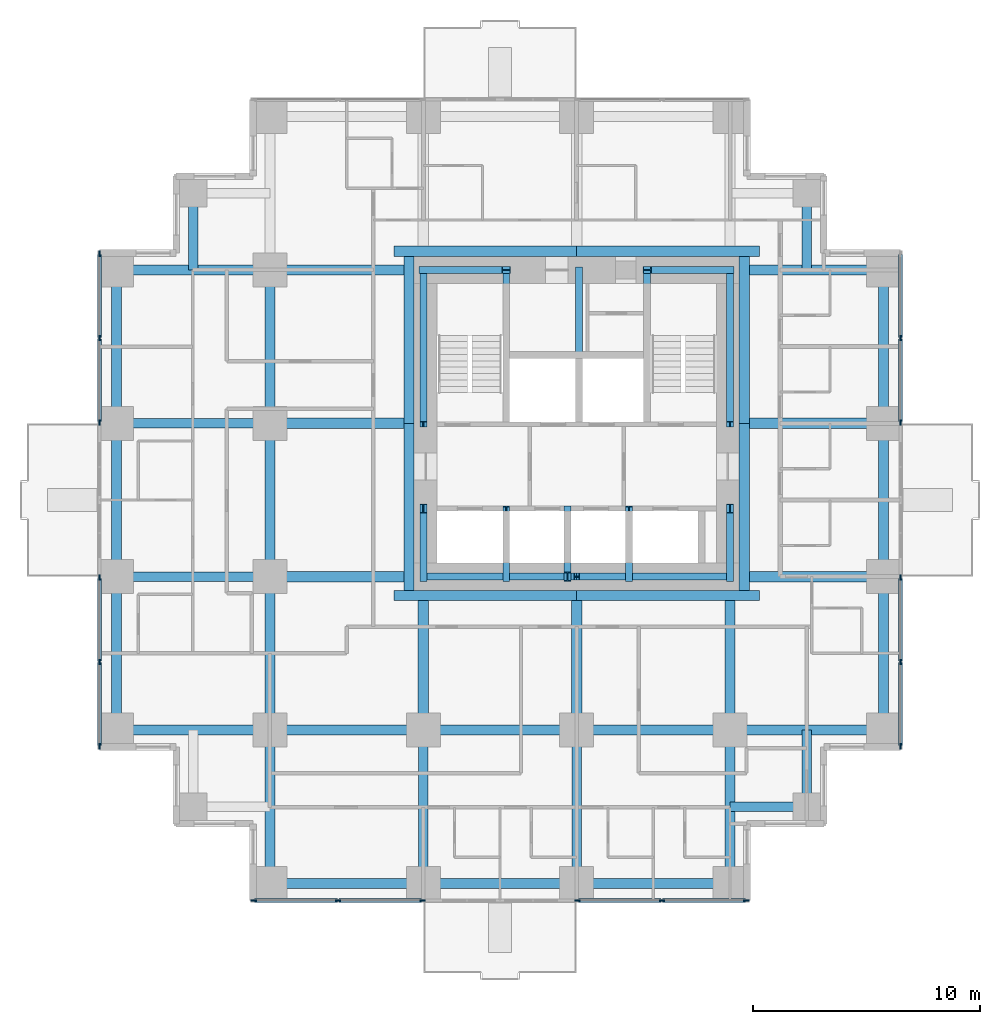
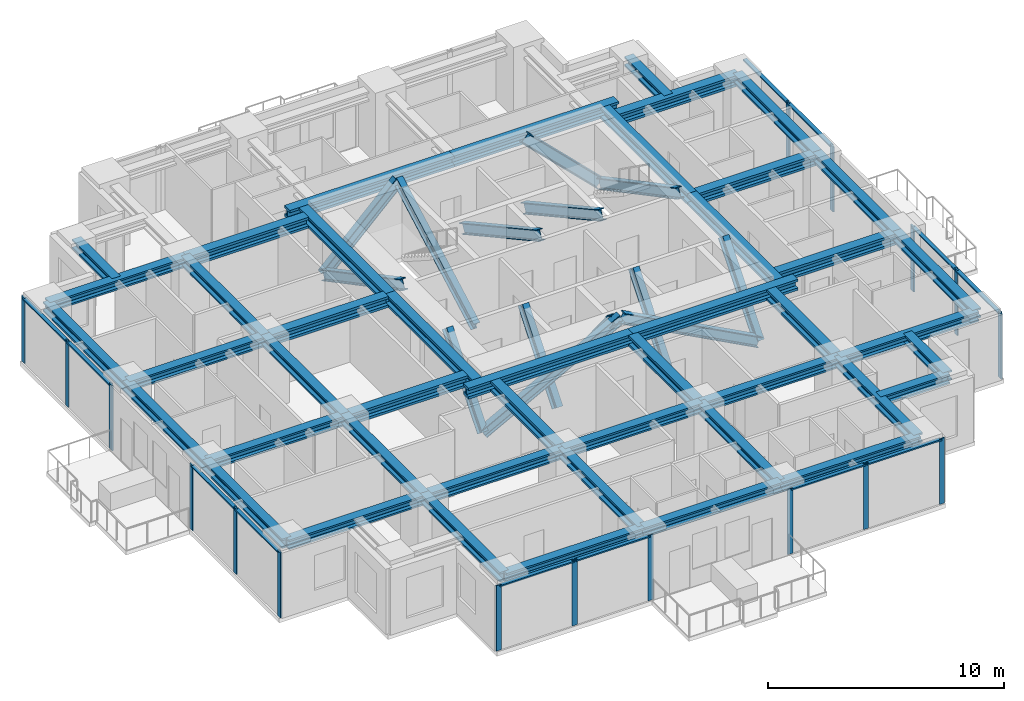
# One storey, part 2 of 10: 45 beams, 43 members, 6 elements without a shape of their own.
"""IFC4 building model written with IfcOpenShell, lengths in metres."""

from ifc_helpers import new_model, si_unit, direction, frame, origin, origin_2d, place, context, subcontext, project, spatial, rectangle, i_section, extrude, material, material_profile, profile_set, type_object, element, aggregate, save


model = new_model("IFC4")

# Units and contexts
model_context = context("Model", 3, precision=1e-05, world=origin(), true_north=direction((0.0, 1.0)))
body_context = subcontext(model_context, "Body", "Model", "MODEL_VIEW")
ifc_project = project(units=[si_unit("LENGTHUNIT", "METRE"), si_unit("AREAUNIT", "SQUARE_METRE"), si_unit("VOLUMEUNIT", "CUBIC_METRE"), si_unit("PLANEANGLEUNIT", "RADIAN"), si_unit("MASSUNIT", "GRAM", prefix="KILO")], contexts=[model_context])

# Site, building, storey
site_placement = place(None, origin())
site = spatial("IfcSite", under=ifc_project, at=site_placement, CompositionType="ELEMENT")
building_placement = place(site_placement, origin())
building = spatial("IfcBuilding", under=site, at=building_placement, Name="Nyansa Garden Tower", CompositionType="ELEMENT")
storey_placement = place(building_placement, frame((0.0, 0.0, 163.800048828125)))
storey = spatial("IfcBuildingStorey", under=building, at=storey_placement, Name="L44", CompositionType="ELEMENT", Elevation=163.800048828125)

# Curtain wall, members
ifc_material_1 = material(Name="Black anodised aluminium, dark tinted double glazing", Category="aluminium")
curtain_wall_type = type_object("IfcCurtainWallType", Name="Inner skin curtain wall ISW-C", PredefinedType="USERDEFINED", material=ifc_material_1)
curtain_wall_1_placement = place(storey_placement, origin())
curtain_wall_1 = element("IfcCurtainWall", 1, at=curtain_wall_1_placement, inside=storey, type_object=curtain_wall_type, Name="Inner skin curtain wall L44 E", ObjectType="UNITISED CURTAIN WALL", PredefinedType="USERDEFINED")
ifc_material_2 = material(Name="Black anodised aluminium", Category="aluminium")
ifc_material_profile_1 = material_profile(ifc_material_2, rectangle(XDim=0.070068359375, YDim=0.25, at=origin_2d()), Name="Mullion 250x70")
ifc_profile_set_1 = profile_set([ifc_material_profile_1], Name="Black anodised aluminium")
member_type_1 = type_object("IfcMemberType", Name="Mullion ISW-C 250x70", PredefinedType="MULLION", material=ifc_profile_set_1)
member_1_placement = place(storey_placement, frame((34.5, 6.034912109375, 0.0), z_axis=(0.0, 0.0, 1.0), x_axis=(-1.0, 0.0, 0.0)))
member_1 = element("IfcMember", 2, at=member_1_placement, type_object=member_type_1, Name="ISW-C mullion 1", PredefinedType="MULLION", context=body_context, shape_type="SweptSolid", body=[
    extrude(rectangle(XDim=0.070068359375, YDim=0.25, at=origin_2d()), origin(), (0.0, 0.0, 1.0), 3.375),
])
member_2_placement = place(storey_placement, frame((34.5, 9.75, 0.0), z_axis=(0.0, 0.0, 1.0), x_axis=(-1.0, 0.0, 0.0)))
member_2 = element("IfcMember", 3, at=member_2_placement, type_object=member_type_1, Name="ISW-C mullion 2", PredefinedType="MULLION", context=body_context, shape_type="SweptSolid", body=[
    extrude(rectangle(XDim=0.070068359375, YDim=0.25, at=origin_2d()), origin(), (0.0, 0.0, 1.0), 3.375),
])
member_3_placement = place(storey_placement, frame((34.5, 13.465087890625, 0.0), z_axis=(0.0, 0.0, 1.0), x_axis=(-1.0, 0.0, 0.0)))
member_3 = element("IfcMember", 4, at=member_3_placement, type_object=member_type_1, Name="ISW-C mullion 3", PredefinedType="MULLION", context=body_context, shape_type="SweptSolid", body=[
    extrude(rectangle(XDim=0.070068359375, YDim=0.25, at=origin_2d()), origin(), (0.0, 0.0, 1.0), 3.375),
])

curtain_wall_2_placement = place(storey_placement, origin())
curtain_wall_2 = element("IfcCurtainWall", 5, at=curtain_wall_2_placement, inside=storey, type_object=curtain_wall_type, Name="Inner skin curtain wall L44 E", ObjectType="UNITISED CURTAIN WALL", PredefinedType="USERDEFINED")
member_4_placement = place(storey_placement, frame((34.5, 20.284912109375, 0.0), z_axis=(0.0, 0.0, 1.0), x_axis=(-1.0, 0.0, 0.0)))
member_4 = element("IfcMember", 6, at=member_4_placement, type_object=member_type_1, Name="ISW-C mullion 1", PredefinedType="MULLION", context=body_context, shape_type="SweptSolid", body=[
    extrude(rectangle(XDim=0.070068359375, YDim=0.25, at=origin_2d()), origin(), (0.0, 0.0, 1.0), 3.375),
])
member_5_placement = place(storey_placement, frame((34.5, 24.0, 0.0), z_axis=(0.0, 0.0, 1.0), x_axis=(-1.0, 0.0, 0.0)))
member_5 = element("IfcMember", 7, at=member_5_placement, type_object=member_type_1, Name="ISW-C mullion 2", PredefinedType="MULLION", context=body_context, shape_type="SweptSolid", body=[
    extrude(rectangle(XDim=0.070068359375, YDim=0.25, at=origin_2d()), origin(), (0.0, 0.0, 1.0), 3.375),
])

curtain_wall_3_placement = place(storey_placement, origin())
curtain_wall_3 = element("IfcCurtainWall", 8, at=curtain_wall_3_placement, inside=storey, type_object=curtain_wall_type, Name="Inner skin curtain wall L44 W", ObjectType="UNITISED CURTAIN WALL", PredefinedType="USERDEFINED")
member_6_placement = place(storey_placement, frame((-0.75, 13.465087890625, 0.0), z_axis=(0.0, 0.0, 1.0), x_axis=(1.0, 0.0, 0.0)))
member_6 = element("IfcMember", 9, at=member_6_placement, type_object=member_type_1, Name="ISW-C mullion 1", PredefinedType="MULLION", context=body_context, shape_type="SweptSolid", body=[
    extrude(rectangle(XDim=0.070068359375, YDim=0.25, at=origin_2d()), origin(), (0.0, 0.0, 1.0), 3.375),
])
member_7_placement = place(storey_placement, frame((-0.75, 9.75, 0.0), z_axis=(0.0, 0.0, 1.0), x_axis=(1.0, 0.0, 0.0)))
member_7 = element("IfcMember", 10, at=member_7_placement, type_object=member_type_1, Name="ISW-C mullion 2", PredefinedType="MULLION", context=body_context, shape_type="SweptSolid", body=[
    extrude(rectangle(XDim=0.070068359375, YDim=0.25, at=origin_2d()), origin(), (0.0, 0.0, 1.0), 3.375),
])
member_8_placement = place(storey_placement, frame((-0.75, 6.034912109375, 0.0), z_axis=(0.0, 0.0, 1.0), x_axis=(1.0, 0.0, 0.0)))
member_8 = element("IfcMember", 11, at=member_8_placement, type_object=member_type_1, Name="ISW-C mullion 3", PredefinedType="MULLION", context=body_context, shape_type="SweptSolid", body=[
    extrude(rectangle(XDim=0.070068359375, YDim=0.25, at=origin_2d()), origin(), (0.0, 0.0, 1.0), 3.375),
])

curtain_wall_4_placement = place(storey_placement, origin())
curtain_wall_4 = element("IfcCurtainWall", 12, at=curtain_wall_4_placement, inside=storey, type_object=curtain_wall_type, Name="Inner skin curtain wall L44 W", ObjectType="UNITISED CURTAIN WALL", PredefinedType="USERDEFINED")
member_9_placement = place(storey_placement, frame((-0.75, 27.715087890625, 0.0), z_axis=(0.0, 0.0, 1.0), x_axis=(1.0, 0.0, 0.0)))
member_9 = element("IfcMember", 13, at=member_9_placement, type_object=member_type_1, Name="ISW-C mullion 1", PredefinedType="MULLION", context=body_context, shape_type="SweptSolid", body=[
    extrude(rectangle(XDim=0.070068359375, YDim=0.25, at=origin_2d()), origin(), (0.0, 0.0, 1.0), 3.375),
])
member_10_placement = place(storey_placement, frame((-0.75, 24.0, 0.0), z_axis=(0.0, 0.0, 1.0), x_axis=(1.0, 0.0, 0.0)))
member_10 = element("IfcMember", 14, at=member_10_placement, type_object=member_type_1, Name="ISW-C mullion 2", PredefinedType="MULLION", context=body_context, shape_type="SweptSolid", body=[
    extrude(rectangle(XDim=0.070068359375, YDim=0.25, at=origin_2d()), origin(), (0.0, 0.0, 1.0), 3.375),
])
member_11_placement = place(storey_placement, frame((-0.75, 20.284912109375, 0.0), z_axis=(0.0, 0.0, 1.0), x_axis=(1.0, 0.0, 0.0)))
member_11 = element("IfcMember", 15, at=member_11_placement, type_object=member_type_1, Name="ISW-C mullion 3", PredefinedType="MULLION", context=body_context, shape_type="SweptSolid", body=[
    extrude(rectangle(XDim=0.070068359375, YDim=0.25, at=origin_2d()), origin(), (0.0, 0.0, 1.0), 3.375),
])

curtain_wall_5_placement = place(storey_placement, origin())
curtain_wall_5 = element("IfcCurtainWall", 16, at=curtain_wall_5_placement, inside=storey, type_object=curtain_wall_type, Name="Inner skin curtain wall L44 S", ObjectType="UNITISED CURTAIN WALL", PredefinedType="USERDEFINED")
member_12_placement = place(storey_placement, frame((6.034912109375, -0.75, 0.0), z_axis=(0.0, 0.0, 1.0), x_axis=(0.0, 1.0, 0.0)))
member_12 = element("IfcMember", 17, at=member_12_placement, type_object=member_type_1, Name="ISW-C mullion 1", PredefinedType="MULLION", context=body_context, shape_type="SweptSolid", body=[
    extrude(rectangle(XDim=0.070068359375, YDim=0.25, at=origin_2d()), origin(), (0.0, 0.0, 1.0), 3.375),
])
member_13_placement = place(storey_placement, frame((9.75, -0.75, 0.0), z_axis=(0.0, 0.0, 1.0), x_axis=(0.0, 1.0, 0.0)))
member_13 = element("IfcMember", 18, at=member_13_placement, type_object=member_type_1, Name="ISW-C mullion 2", PredefinedType="MULLION", context=body_context, shape_type="SweptSolid", body=[
    extrude(rectangle(XDim=0.070068359375, YDim=0.25, at=origin_2d()), origin(), (0.0, 0.0, 1.0), 3.375),
])
member_14_placement = place(storey_placement, frame((13.465087890625, -0.75, 0.0), z_axis=(0.0, 0.0, 1.0), x_axis=(0.0, 1.0, 0.0)))
member_14 = element("IfcMember", 19, at=member_14_placement, type_object=member_type_1, Name="ISW-C mullion 3", PredefinedType="MULLION", context=body_context, shape_type="SweptSolid", body=[
    extrude(rectangle(XDim=0.070068359375, YDim=0.25, at=origin_2d()), origin(), (0.0, 0.0, 1.0), 3.375),
])

curtain_wall_6_placement = place(storey_placement, origin())
curtain_wall_6 = element("IfcCurtainWall", 20, at=curtain_wall_6_placement, inside=storey, type_object=curtain_wall_type, Name="Inner skin curtain wall L44 S", ObjectType="UNITISED CURTAIN WALL", PredefinedType="USERDEFINED")
member_15_placement = place(storey_placement, frame((20.284912109375, -0.75, 0.0), z_axis=(0.0, 0.0, 1.0), x_axis=(0.0, 1.0, 0.0)))
member_15 = element("IfcMember", 21, at=member_15_placement, type_object=member_type_1, Name="ISW-C mullion 1", PredefinedType="MULLION", context=body_context, shape_type="SweptSolid", body=[
    extrude(rectangle(XDim=0.070068359375, YDim=0.25, at=origin_2d()), origin(), (0.0, 0.0, 1.0), 3.375),
])
member_16_placement = place(storey_placement, frame((24.0, -0.75, 0.0), z_axis=(0.0, 0.0, 1.0), x_axis=(0.0, 1.0, 0.0)))
member_16 = element("IfcMember", 22, at=member_16_placement, type_object=member_type_1, Name="ISW-C mullion 2", PredefinedType="MULLION", context=body_context, shape_type="SweptSolid", body=[
    extrude(rectangle(XDim=0.070068359375, YDim=0.25, at=origin_2d()), origin(), (0.0, 0.0, 1.0), 3.375),
])
member_17_placement = place(storey_placement, frame((27.715087890625, -0.75, 0.0), z_axis=(0.0, 0.0, 1.0), x_axis=(0.0, 1.0, 0.0)))
member_17 = element("IfcMember", 23, at=member_17_placement, type_object=member_type_1, Name="ISW-C mullion 3", PredefinedType="MULLION", context=body_context, shape_type="SweptSolid", body=[
    extrude(rectangle(XDim=0.070068359375, YDim=0.25, at=origin_2d()), origin(), (0.0, 0.0, 1.0), 3.375),
])

# Members
ifc_material_3 = material(Name="Steel S355", Category="steel")
ifc_material_profile_2 = material_profile(ifc_material_3, i_section(OverallWidth=0.305908203125, OverallDepth=0.52392578125, WebThickness=0.02099609375, FlangeThickness=0.0400390625, FilletRadius=0.027099609375, at=origin_2d()), Name="HE 500 M")
ifc_profile_set_2 = profile_set([ifc_material_profile_2], Name="Steel S355")
member_type_2 = type_object("IfcMemberType", Name="Perimeter brace HE 500 M", PredefinedType="BRACE", material=ifc_profile_set_2)
for number, where, z_axis, x_axis, name in (
    (24, (13.5, 13.5, 0.0), (0.882360891967, 0.0, 0.470573327259), (0.0, 1.0, 0.0), "Core brace CS1 L44"),
    (25, (27.0, 13.5, 0.0), (-0.882360891967, 0.0, 0.470573327259), (0.0, -1.0, 0.0), "Core brace CS2 L44"),
):
    element("IfcMember", number, at=place(storey_placement, frame(where, z_axis=z_axis, x_axis=x_axis)), inside=storey, type_object=member_type_2, Name=name, PredefinedType="BRACE", context=body_context, shape_type="SweptSolid", body=[
        extrude(i_section(OverallWidth=0.305908203125, OverallDepth=0.52392578125, WebThickness=0.02099609375, FlangeThickness=0.0400390625, FilletRadius=0.027099609375, at=origin_2d()), origin(), (0.0, 0.0, 1.0), 7.64990234375),
    ])
for number, where, z_axis, x_axis, name in (
    (26, (13.5, 27.0, 0.0), (0.711971340796, 0.0, 0.702208523079), (0.0, 1.0, 0.0), "Core brace CN3 L44"),
    (27, (27.0, 27.0, 0.0), (-0.711971340796, 0.0, 0.702208523079), (0.0, -1.0, 0.0), "Core brace CN4 L44"),
):
    element("IfcMember", number, at=place(storey_placement, frame(where, z_axis=z_axis, x_axis=x_axis)), inside=storey, type_object=member_type_2, Name=name, PredefinedType="BRACE", context=body_context, shape_type="SweptSolid", body=[
        extrude(i_section(OverallWidth=0.305908203125, OverallDepth=0.52392578125, WebThickness=0.02099609375, FlangeThickness=0.0400390625, FilletRadius=0.027099609375, at=origin_2d()), origin(), (0.0, 0.0, 1.0), 5.12646484375),
    ])
member_18_placement = place(storey_placement, frame((13.5, 13.5, 0.0), z_axis=(0.0, 0.640199773186, 0.768208468069), x_axis=(-1.0, 0.0, 0.0)))
element("IfcMember", 28, at=member_18_placement, inside=storey, type_object=member_type_2, Name="Core brace CW5 L44", PredefinedType="BRACE", context=body_context, shape_type="SweptSolid", body=[
    extrude(i_section(OverallWidth=0.305908203125, OverallDepth=0.52392578125, WebThickness=0.02099609375, FlangeThickness=0.0400390625, FilletRadius=0.027099609375, at=origin_2d()), origin(), (0.0, 0.0, 1.0), 4.68603515625),
])
member_19_placement = place(storey_placement, frame((13.5, 27.0, 0.0), z_axis=(0.0, -0.883797178129, 0.467870225524), x_axis=(1.0, 0.0, 0.0)))
element("IfcMember", 29, at=member_19_placement, inside=storey, type_object=member_type_2, Name="Core brace CW6 L44", PredefinedType="BRACE", context=body_context, shape_type="SweptSolid", body=[
    extrude(i_section(OverallWidth=0.305908203125, OverallDepth=0.52392578125, WebThickness=0.02099609375, FlangeThickness=0.0400390625, FilletRadius=0.027099609375, at=origin_2d()), origin(), (0.0, 0.0, 1.0), 7.694091796875),
])
member_20_placement = place(storey_placement, frame((27.0, 13.5, 0.0), z_axis=(0.0, 0.640199773186, 0.768208468069), x_axis=(-1.0, 0.0, 0.0)))
element("IfcMember", 30, at=member_20_placement, inside=storey, type_object=member_type_2, Name="Core brace CE7 L44", PredefinedType="BRACE", context=body_context, shape_type="SweptSolid", body=[
    extrude(i_section(OverallWidth=0.305908203125, OverallDepth=0.52392578125, WebThickness=0.02099609375, FlangeThickness=0.0400390625, FilletRadius=0.027099609375, at=origin_2d()), origin(), (0.0, 0.0, 1.0), 4.68603515625),
])
member_21_placement = place(storey_placement, frame((27.0, 27.0, 0.0), z_axis=(0.0, -0.883797178129, 0.467870225524), x_axis=(1.0, 0.0, 0.0)))
element("IfcMember", 31, at=member_21_placement, inside=storey, type_object=member_type_2, Name="Core brace CE8 L44", PredefinedType="BRACE", context=body_context, shape_type="SweptSolid", body=[
    extrude(i_section(OverallWidth=0.305908203125, OverallDepth=0.52392578125, WebThickness=0.02099609375, FlangeThickness=0.0400390625, FilletRadius=0.027099609375, at=origin_2d()), origin(), (0.0, 0.0, 1.0), 7.694091796875),
])
for number, where, z_axis, x_axis, name in (
    (32, (17.14990234375, 20.449951171875, 0.0), (0.0, 0.876366901673, 0.481644115143), (-1.0, 0.0, 0.0), "Core brace CWS9 L44"),
    (33, (23.35009765625, 27.0, 0.0), (0.0, -0.876366901673, 0.481644115143), (1.0, 0.0, 0.0), "Core brace CES10 L44"),
):
    element("IfcMember", number, at=place(storey_placement, frame(where, z_axis=z_axis, x_axis=x_axis)), inside=storey, type_object=member_type_2, Name=name, PredefinedType="BRACE", context=body_context, shape_type="SweptSolid", body=[
        extrude(i_section(OverallWidth=0.305908203125, OverallDepth=0.52392578125, WebThickness=0.02099609375, FlangeThickness=0.0400390625, FilletRadius=0.027099609375, at=origin_2d()), origin(), (0.0, 0.0, 1.0), 7.47412109375),
    ])
for number, where, z_axis, x_axis, name in (
    (34, (17.14990234375, 13.5, 0.0), (0.0, 0.627332207022, 0.778751758928), (-1.0, 0.0, 0.0), "Core brace CSW11 L44"),
    (35, (19.85009765625, 16.39990234375, 0.0), (0.0, -0.627332207022, 0.778751758928), (1.0, 0.0, 0.0), "Core brace CSW12 L44"),
    (36, (22.550048828125, 13.5, 0.0), (0.0, 0.627332207022, 0.778751758928), (-1.0, 0.0, 0.0), "Core brace CSW13 L44"),
):
    element("IfcMember", number, at=place(storey_placement, frame(where, z_axis=z_axis, x_axis=x_axis)), inside=storey, type_object=member_type_2, Name=name, PredefinedType="BRACE", context=body_context, shape_type="SweptSolid", body=[
        extrude(i_section(OverallWidth=0.305908203125, OverallDepth=0.52392578125, WebThickness=0.02099609375, FlangeThickness=0.0400390625, FilletRadius=0.027099609375, at=origin_2d()), origin(), (0.0, 0.0, 1.0), 4.62255859375),
    ])
member_22_placement = place(storey_placement, frame((20.35009765625, 27.0, 0.0), z_axis=(0.0, -0.876366901673, 0.481644115143), x_axis=(1.0, 0.0, 0.0)))
element("IfcMember", 37, at=member_22_placement, inside=storey, type_object=member_type_2, Name="Core brace CNW14 L44", PredefinedType="BRACE", context=body_context, shape_type="SweptSolid", body=[
    extrude(i_section(OverallWidth=0.305908203125, OverallDepth=0.52392578125, WebThickness=0.02099609375, FlangeThickness=0.0400390625, FilletRadius=0.027099609375, at=origin_2d()), origin(), (0.0, 0.0, 1.0), 7.47412109375),
])

# Beams
ifc_material_4 = material(Name="Steel S355", Category="steel")
ifc_material_profile_3 = material_profile(ifc_material_4, i_section(OverallWidth=0.431884765625, OverallDepth=0.498046875, WebThickness=0.0556640625, FlangeThickness=0.0888671875, FilletRadius=0.014892578125, at=origin_2d()), Name="HD 400x744")
ifc_profile_set_3 = profile_set([ifc_material_profile_3], Name="Steel S355")
beam_type_1 = type_object("IfcBeamType", Name="Steel beam SBC1-744 HD 400x744", PredefinedType="BEAM", material=ifc_profile_set_3)
for number, where, z_axis, x_axis, name in (
    (38, (0.0, 6.75, 3.1259765625), (1.0, 0.0, 0.0), (0.0, 1.0, 0.0), "Steel beam 2/E-3/E L45"),
    (39, (0.0, 13.5, 3.1259765625), (1.0, 0.0, 0.0), (0.0, 1.0, 0.0), "Steel beam 2/F-3/F L45"),
    (40, (0.0, 20.25, 3.1259765625), (1.0, 0.0, 0.0), (0.0, 1.0, 0.0), "Steel beam 2/G-3/G L45"),
    (41, (0.0, 27.0, 3.1259765625), (1.0, 0.0, 0.0), (0.0, 1.0, 0.0), "Steel beam 2/H-3/H L45"),
    (42, (6.75, 0.0, 3.1259765625), (0.0, 1.0, 0.0), (-1.0, 0.0, 0.0), "Steel beam 3/D-3/E L45"),
    (43, (6.75, 6.75, 3.1259765625), (0.0, 1.0, 0.0), (-1.0, 0.0, 0.0), "Steel beam 3/E-3/F L45"),
    (44, (6.75, 6.75, 3.1259765625), (1.0, 0.0, 0.0), (0.0, 1.0, 0.0), "Steel beam 3/E-4/E L45"),
    (45, (6.75, 13.5, 3.1259765625), (0.0, 1.0, 0.0), (-1.0, 0.0, 0.0), "Steel beam 3/F-3/G L45"),
    (46, (6.75, 20.25, 3.1259765625), (0.0, 1.0, 0.0), (-1.0, 0.0, 0.0), "Steel beam 3/G-3/H L45"),
    (47, (13.5, 0.0, 3.1259765625), (0.0, 1.0, 0.0), (-1.0, 0.0, 0.0), "Steel beam 4/D-4/E L45"),
    (48, (13.5, 6.75, 3.1259765625), (1.0, 0.0, 0.0), (0.0, 1.0, 0.0), "Steel beam 4/E-5/E L45"),
    (49, (20.25, 0.0, 3.1259765625), (0.0, 1.0, 0.0), (-1.0, 0.0, 0.0), "Steel beam 5/D-5/E L45"),
    (50, (20.25, 6.75, 3.1259765625), (1.0, 0.0, 0.0), (0.0, 1.0, 0.0), "Steel beam 5/E-6/E L45"),
    (51, (27.0, 0.0, 3.1259765625), (0.0, 1.0, 0.0), (-1.0, 0.0, 0.0), "Steel beam 6/D-6/E L45"),
    (52, (27.0, 6.75, 3.1259765625), (1.0, 0.0, 0.0), (0.0, 1.0, 0.0), "Steel beam 6/E-7/E L45"),
):
    element("IfcBeam", number, at=place(storey_placement, frame(where, z_axis=z_axis, x_axis=x_axis)), inside=storey, type_object=beam_type_1, Name=name, PredefinedType="BEAM", context=body_context, shape_type="SweptSolid", body=[
        extrude(i_section(OverallWidth=0.431884765625, OverallDepth=0.498046875, WebThickness=0.0556640625, FlangeThickness=0.0888671875, FilletRadius=0.014892578125, at=origin_2d()), origin(), (0.0, 0.0, 1.0), 6.75),
    ])
ifc_material_5 = material(Name="Steel S355", Category="steel")
ifc_material_profile_4 = material_profile(ifc_material_5, i_section(OverallWidth=0.4541015625, OverallDepth=0.569091796875, WebThickness=0.077880859375, FlangeThickness=0.125, FilletRadius=0.014892578125, at=origin_2d()), Name="HD 400x1086")
ifc_profile_set_4 = profile_set([ifc_material_profile_4], Name="Steel S355")
beam_type_2 = type_object("IfcBeamType", Name="Steel beam SCL-1086 HD 400x1086", PredefinedType="BEAM", material=ifc_profile_set_4)
for number, where, z_axis, x_axis, name in (
    (53, (6.75, 13.5, 3.09033203125), (1.0, 0.0, 0.0), (0.0, 1.0, 0.0), "Steel beam 3/F-12.650/F L45"),
    (54, (6.75, 20.25, 3.09033203125), (1.0, 0.0, 0.0), (0.0, 1.0, 0.0), "Steel beam 3/G-12.650/G L45"),
    (55, (6.75, 27.0, 3.09033203125), (1.0, 0.0, 0.0), (0.0, 1.0, 0.0), "Steel beam 3/H-12.650/H L45"),
):
    element("IfcBeam", number, at=place(storey_placement, frame(where, z_axis=z_axis, x_axis=x_axis)), inside=storey, type_object=beam_type_2, Name=name, PredefinedType="BEAM", context=body_context, shape_type="SweptSolid", body=[
        extrude(i_section(OverallWidth=0.4541015625, OverallDepth=0.569091796875, WebThickness=0.077880859375, FlangeThickness=0.125, FilletRadius=0.014892578125, at=origin_2d()), origin(), (0.0, 0.0, 1.0), 5.89990234375),
    ])
for number, where, z_axis, x_axis, name in (
    (56, (13.5, 6.75, 3.09033203125), (0.0, 1.0, 0.0), (-1.0, 0.0, 0.0), "Steel beam 4/E-4/12.450 L45"),
    (57, (20.25, 6.75, 3.09033203125), (0.0, 1.0, 0.0), (-1.0, 0.0, 0.0), "Steel beam 5/E-5/12.450 L45"),
    (58, (27.0, 6.75, 3.09033203125), (0.0, 1.0, 0.0), (-1.0, 0.0, 0.0), "Steel beam 6/E-6/12.450 L45"),
):
    element("IfcBeam", number, at=place(storey_placement, frame(where, z_axis=z_axis, x_axis=x_axis)), inside=storey, type_object=beam_type_2, Name=name, PredefinedType="BEAM", context=body_context, shape_type="SweptSolid", body=[
        extrude(i_section(OverallWidth=0.4541015625, OverallDepth=0.569091796875, WebThickness=0.077880859375, FlangeThickness=0.125, FilletRadius=0.014892578125, at=origin_2d()), origin(), (0.0, 0.0, 1.0), 5.699951171875),
    ])
for number, where, z_axis, x_axis, name in (
    (59, (27.85009765625, 13.5, 3.09033203125), (1.0, 0.0, 0.0), (0.0, 1.0, 0.0), "Steel beam 27.850/F-7/F L45"),
    (60, (27.85009765625, 20.25, 3.09033203125), (1.0, 0.0, 0.0), (0.0, 1.0, 0.0), "Steel beam 27.850/G-7/G L45"),
    (61, (27.85009765625, 27.0, 3.09033203125), (1.0, 0.0, 0.0), (0.0, 1.0, 0.0), "Steel beam 27.850/H-7/H L45"),
):
    element("IfcBeam", number, at=place(storey_placement, frame(where, z_axis=z_axis, x_axis=x_axis)), inside=storey, type_object=beam_type_2, Name=name, PredefinedType="BEAM", context=body_context, shape_type="SweptSolid", body=[
        extrude(i_section(OverallWidth=0.4541015625, OverallDepth=0.569091796875, WebThickness=0.077880859375, FlangeThickness=0.125, FilletRadius=0.014892578125, at=origin_2d()), origin(), (0.0, 0.0, 1.0), 5.89990234375),
    ])
for number, where, z_axis, x_axis, name in (
    (62, (12.199951171875, 12.673095703125, 3.09033203125), (1.0, 0.0, 0.0), (0.0, 1.0, 0.0), "Steel core ledger beam S.1 L45"),
    (63, (20.25, 12.673095703125, 3.09033203125), (1.0, 0.0, 0.0), (0.0, 1.0, 0.0), "Steel core ledger beam S.2 L45"),
):
    element("IfcBeam", number, at=place(storey_placement, frame(where, z_axis=z_axis, x_axis=x_axis)), inside=storey, type_object=beam_type_2, Name=name, PredefinedType="BEAM", context=body_context, shape_type="SweptSolid", body=[
        extrude(i_section(OverallWidth=0.4541015625, OverallDepth=0.569091796875, WebThickness=0.077880859375, FlangeThickness=0.125, FilletRadius=0.014892578125, at=origin_2d()), origin(), (0.0, 0.0, 1.0), 8.050048828125),
    ])
for number, where, z_axis, x_axis, name in (
    (64, (27.626953125, 12.89990234375, 3.09033203125), (0.0, 1.0, 0.0), (-1.0, 0.0, 0.0), "Steel core ledger beam E.1 L45"),
    (65, (27.626953125, 20.25, 3.09033203125), (0.0, 1.0, 0.0), (-1.0, 0.0, 0.0), "Steel core ledger beam E.2 L45"),
):
    element("IfcBeam", number, at=place(storey_placement, frame(where, z_axis=z_axis, x_axis=x_axis)), inside=storey, type_object=beam_type_2, Name=name, PredefinedType="BEAM", context=body_context, shape_type="SweptSolid", body=[
        extrude(i_section(OverallWidth=0.4541015625, OverallDepth=0.569091796875, WebThickness=0.077880859375, FlangeThickness=0.125, FilletRadius=0.014892578125, at=origin_2d()), origin(), (0.0, 0.0, 1.0), 7.35009765625),
    ])
for number, where, z_axis, x_axis, name in (
    (66, (28.300048828125, 27.826904296875, 3.09033203125), (-1.0, 0.0, 0.0), (0.0, -1.0, 0.0), "Steel core ledger beam N.1 L45"),
    (67, (20.25, 27.826904296875, 3.09033203125), (-1.0, 0.0, 0.0), (0.0, -1.0, 0.0), "Steel core ledger beam N.2 L45"),
):
    element("IfcBeam", number, at=place(storey_placement, frame(where, z_axis=z_axis, x_axis=x_axis)), inside=storey, type_object=beam_type_2, Name=name, PredefinedType="BEAM", context=body_context, shape_type="SweptSolid", body=[
        extrude(i_section(OverallWidth=0.4541015625, OverallDepth=0.569091796875, WebThickness=0.077880859375, FlangeThickness=0.125, FilletRadius=0.014892578125, at=origin_2d()), origin(), (0.0, 0.0, 1.0), 8.050048828125),
    ])
for number, where, z_axis, x_axis, name in (
    (68, (12.873046875, 27.60009765625, 3.09033203125), (0.0, -1.0, 0.0), (1.0, 0.0, 0.0), "Steel core ledger beam W.1 L45"),
    (69, (12.873046875, 20.25, 3.09033203125), (0.0, -1.0, 0.0), (1.0, 0.0, 0.0), "Steel core ledger beam W.2 L45"),
):
    element("IfcBeam", number, at=place(storey_placement, frame(where, z_axis=z_axis, x_axis=x_axis)), inside=storey, type_object=beam_type_2, Name=name, PredefinedType="BEAM", context=body_context, shape_type="SweptSolid", body=[
        extrude(i_section(OverallWidth=0.4541015625, OverallDepth=0.569091796875, WebThickness=0.077880859375, FlangeThickness=0.125, FilletRadius=0.014892578125, at=origin_2d()), origin(), (0.0, 0.0, 1.0), 7.35009765625),
    ])
ifc_material_6 = material(Name="Steel S355", Category="steel")
ifc_material_profile_5 = material_profile(ifc_material_6, i_section(OverallWidth=0.431884765625, OverallDepth=0.498046875, WebThickness=0.0556640625, FlangeThickness=0.0888671875, FilletRadius=0.014892578125, at=origin_2d()), Name="HD 400x744")
ifc_profile_set_5 = profile_set([ifc_material_profile_5], Name="Steel S355")
beam_type_3 = type_object("IfcBeamType", Name="Steel beam SEBC-744 HD 400x744", PredefinedType="BEAM", material=ifc_profile_set_5)
for number, where, z_axis, x_axis, name in (
    (70, (0.0, 6.75, 3.1259765625), (0.0, 1.0, 0.0), (-1.0, 0.0, 0.0), "Steel edge beam 2/E-2/F L45"),
    (71, (0.0, 13.5, 3.1259765625), (0.0, 1.0, 0.0), (-1.0, 0.0, 0.0), "Steel edge beam 2/F-2/G L45"),
    (72, (0.0, 20.25, 3.1259765625), (0.0, 1.0, 0.0), (-1.0, 0.0, 0.0), "Steel edge beam 2/G-2/H L45"),
    (73, (6.75, 0.0, 3.1259765625), (1.0, 0.0, 0.0), (0.0, 1.0, 0.0), "Steel edge beam 3/D-4/D L45"),
    (74, (13.5, 0.0, 3.1259765625), (1.0, 0.0, 0.0), (0.0, 1.0, 0.0), "Steel edge beam 4/D-5/D L45"),
    (75, (20.25, 0.0, 3.1259765625), (1.0, 0.0, 0.0), (0.0, 1.0, 0.0), "Steel edge beam 5/D-6/D L45"),
    (76, (33.75, 6.75, 3.1259765625), (0.0, 1.0, 0.0), (-1.0, 0.0, 0.0), "Steel edge beam 7/E-7/F L45"),
    (77, (33.75, 13.5, 3.1259765625), (0.0, 1.0, 0.0), (-1.0, 0.0, 0.0), "Steel edge beam 7/F-7/G L45"),
    (78, (33.75, 20.25, 3.1259765625), (0.0, 1.0, 0.0), (-1.0, 0.0, 0.0), "Steel edge beam 7/G-7/H L45"),
):
    element("IfcBeam", number, at=place(storey_placement, frame(where, z_axis=z_axis, x_axis=x_axis)), inside=storey, type_object=beam_type_3, Name=name, PredefinedType="BEAM", context=body_context, shape_type="SweptSolid", body=[
        extrude(i_section(OverallWidth=0.431884765625, OverallDepth=0.498046875, WebThickness=0.0556640625, FlangeThickness=0.0888671875, FilletRadius=0.014892578125, at=origin_2d()), origin(), (0.0, 0.0, 1.0), 6.75),
    ])
ifc_material_7 = material(Name="Steel S355", Category="steel")
ifc_material_profile_6 = material_profile(ifc_material_7, i_section(OverallWidth=0.431884765625, OverallDepth=0.498046875, WebThickness=0.0556640625, FlangeThickness=0.0888671875, FilletRadius=0.014892578125, at=origin_2d()), Name="HD 400x744")
ifc_profile_set_6 = profile_set([ifc_material_profile_6], Name="Steel S355")
beam_type_4 = type_object("IfcBeamType", Name="Steel beam SSB1-744 HD 400x744", PredefinedType="BEAM", material=ifc_profile_set_6)
for number, where, z_axis, x_axis, name in (
    (79, (30.375, 3.375, 3.1259765625), (0.0, 1.0, 0.0), (-1.0, 0.0, 0.0), "Steel step beam 30.375/3.375 L45"),
    (80, (30.375, 3.375, 3.1259765625), (-1.0, 0.0, 0.0), (0.0, -1.0, 0.0), "Steel step beam 30.375/3.375 L45"),
    (81, (30.375, 30.375, 3.1259765625), (0.0, -1.0, 0.0), (1.0, 0.0, 0.0), "Steel step beam 30.375/30.375 L45"),
    (82, (3.375, 30.375, 3.1259765625), (0.0, -1.0, 0.0), (1.0, 0.0, 0.0), "Steel step beam 3.375/30.375 L45"),
):
    element("IfcBeam", number, at=place(storey_placement, frame(where, z_axis=z_axis, x_axis=x_axis)), inside=storey, type_object=beam_type_4, Name=name, PredefinedType="BEAM", context=body_context, shape_type="SweptSolid", body=[
        extrude(i_section(OverallWidth=0.431884765625, OverallDepth=0.498046875, WebThickness=0.0556640625, FlangeThickness=0.0888671875, FilletRadius=0.014892578125, at=origin_2d()), origin(), (0.0, 0.0, 1.0), 3.375),
    ])

# Member
ifc_material_8 = material(Name="Black anodised aluminium", Category="aluminium")
ifc_material_profile_7 = material_profile(ifc_material_8, rectangle(XDim=0.179931640625, YDim=0.070068359375, at=origin_2d()), Name="Transom 180x70")
ifc_profile_set_7 = profile_set([ifc_material_profile_7], Name="Black anodised aluminium")
member_type_3 = type_object("IfcMemberType", Name="Transom ISW-C 180x70", PredefinedType="USERDEFINED", material=ifc_profile_set_7)
member_23_placement = place(storey_placement, frame((34.5, 6.070068359375, 3.33984375), z_axis=(0.0, 1.0, 0.0), x_axis=(-1.0, 0.0, 0.0)))
member_23 = element("IfcMember", 83, at=member_23_placement, type_object=member_type_3, Name="ISW-C transom 1", ObjectType="TRANSOM", PredefinedType="USERDEFINED", context=body_context, shape_type="SweptSolid", body=[
    extrude(rectangle(XDim=0.179931640625, YDim=0.070068359375, at=origin_2d()), origin(), (0.0, 0.0, 1.0), 3.64501953125),
])

member_24_placement = place(storey_placement, frame((34.5, 9.784912109375, 3.33984375), z_axis=(0.0, 1.0, 0.0), x_axis=(-1.0, 0.0, 0.0)))
member_24 = element("IfcMember", 84, at=member_24_placement, type_object=member_type_3, Name="ISW-C transom 2", ObjectType="TRANSOM", PredefinedType="USERDEFINED", context=body_context, shape_type="SweptSolid", body=[
    extrude(rectangle(XDim=0.179931640625, YDim=0.070068359375, at=origin_2d()), origin(), (0.0, 0.0, 1.0), 3.64501953125),
])

aggregate(curtain_wall_1, [member_1, member_2, member_3, member_23, member_24])

member_25_placement = place(storey_placement, frame((34.5, 20.320068359375, 3.33984375), z_axis=(0.0, 1.0, 0.0), x_axis=(-1.0, 0.0, 0.0)))
member_25 = element("IfcMember", 85, at=member_25_placement, type_object=member_type_3, Name="ISW-C transom 1", ObjectType="TRANSOM", PredefinedType="USERDEFINED", context=body_context, shape_type="SweptSolid", body=[
    extrude(rectangle(XDim=0.179931640625, YDim=0.070068359375, at=origin_2d()), origin(), (0.0, 0.0, 1.0), 3.64501953125),
])

member_26_placement = place(storey_placement, frame((34.5, 24.034912109375, 3.33984375), z_axis=(0.0, 1.0, 0.0), x_axis=(-1.0, 0.0, 0.0)))
member_26 = element("IfcMember", 86, at=member_26_placement, type_object=member_type_3, Name="ISW-C transom 2", ObjectType="TRANSOM", PredefinedType="USERDEFINED", context=body_context, shape_type="SweptSolid", body=[
    extrude(rectangle(XDim=0.179931640625, YDim=0.070068359375, at=origin_2d()), origin(), (0.0, 0.0, 1.0), 3.64501953125),
])

aggregate(curtain_wall_2, [member_4, member_5, member_25, member_26])

member_27_placement = place(storey_placement, frame((-0.75, 13.429931640625, 3.33984375), z_axis=(0.0, -1.0, 0.0), x_axis=(1.0, 0.0, 0.0)))
member_27 = element("IfcMember", 87, at=member_27_placement, type_object=member_type_3, Name="ISW-C transom 1", ObjectType="TRANSOM", PredefinedType="USERDEFINED", context=body_context, shape_type="SweptSolid", body=[
    extrude(rectangle(XDim=0.179931640625, YDim=0.070068359375, at=origin_2d()), origin(), (0.0, 0.0, 1.0), 3.64501953125),
])

member_28_placement = place(storey_placement, frame((-0.75, 9.715087890625, 3.33984375), z_axis=(0.0, -1.0, 0.0), x_axis=(1.0, 0.0, 0.0)))
member_28 = element("IfcMember", 88, at=member_28_placement, type_object=member_type_3, Name="ISW-C transom 2", ObjectType="TRANSOM", PredefinedType="USERDEFINED", context=body_context, shape_type="SweptSolid", body=[
    extrude(rectangle(XDim=0.179931640625, YDim=0.070068359375, at=origin_2d()), origin(), (0.0, 0.0, 1.0), 3.64501953125),
])

aggregate(curtain_wall_3, [member_6, member_7, member_8, member_27, member_28])

member_29_placement = place(storey_placement, frame((-0.75, 27.679931640625, 3.33984375), z_axis=(0.0, -1.0, 0.0), x_axis=(1.0, 0.0, 0.0)))
member_29 = element("IfcMember", 89, at=member_29_placement, type_object=member_type_3, Name="ISW-C transom 1", ObjectType="TRANSOM", PredefinedType="USERDEFINED", context=body_context, shape_type="SweptSolid", body=[
    extrude(rectangle(XDim=0.179931640625, YDim=0.070068359375, at=origin_2d()), origin(), (0.0, 0.0, 1.0), 3.64501953125),
])

member_30_placement = place(storey_placement, frame((-0.75, 23.965087890625, 3.33984375), z_axis=(0.0, -1.0, 0.0), x_axis=(1.0, 0.0, 0.0)))
member_30 = element("IfcMember", 90, at=member_30_placement, type_object=member_type_3, Name="ISW-C transom 2", ObjectType="TRANSOM", PredefinedType="USERDEFINED", context=body_context, shape_type="SweptSolid", body=[
    extrude(rectangle(XDim=0.179931640625, YDim=0.070068359375, at=origin_2d()), origin(), (0.0, 0.0, 1.0), 3.64501953125),
])

aggregate(curtain_wall_4, [member_9, member_10, member_11, member_29, member_30])

member_31_placement = place(storey_placement, frame((6.070068359375, -0.75, 3.33984375), z_axis=(1.0, 0.0, 0.0), x_axis=(0.0, 1.0, 0.0)))
member_31 = element("IfcMember", 91, at=member_31_placement, type_object=member_type_3, Name="ISW-C transom 1", ObjectType="TRANSOM", PredefinedType="USERDEFINED", context=body_context, shape_type="SweptSolid", body=[
    extrude(rectangle(XDim=0.179931640625, YDim=0.070068359375, at=origin_2d()), origin(), (0.0, 0.0, 1.0), 3.64501953125),
])

member_32_placement = place(storey_placement, frame((9.784912109375, -0.75, 3.33984375), z_axis=(1.0, 0.0, 0.0), x_axis=(0.0, 1.0, 0.0)))
member_32 = element("IfcMember", 92, at=member_32_placement, type_object=member_type_3, Name="ISW-C transom 2", ObjectType="TRANSOM", PredefinedType="USERDEFINED", context=body_context, shape_type="SweptSolid", body=[
    extrude(rectangle(XDim=0.179931640625, YDim=0.070068359375, at=origin_2d()), origin(), (0.0, 0.0, 1.0), 3.64501953125),
])

aggregate(curtain_wall_5, [member_12, member_13, member_14, member_31, member_32])

member_33_placement = place(storey_placement, frame((20.320068359375, -0.75, 3.33984375), z_axis=(1.0, 0.0, 0.0), x_axis=(0.0, 1.0, 0.0)))
member_33 = element("IfcMember", 93, at=member_33_placement, type_object=member_type_3, Name="ISW-C transom 1", ObjectType="TRANSOM", PredefinedType="USERDEFINED", context=body_context, shape_type="SweptSolid", body=[
    extrude(rectangle(XDim=0.179931640625, YDim=0.070068359375, at=origin_2d()), origin(), (0.0, 0.0, 1.0), 3.64501953125),
])

member_34_placement = place(storey_placement, frame((24.034912109375, -0.75, 3.33984375), z_axis=(1.0, 0.0, 0.0), x_axis=(0.0, 1.0, 0.0)))
member_34 = element("IfcMember", 94, at=member_34_placement, type_object=member_type_3, Name="ISW-C transom 2", ObjectType="TRANSOM", PredefinedType="USERDEFINED", context=body_context, shape_type="SweptSolid", body=[
    extrude(rectangle(XDim=0.179931640625, YDim=0.070068359375, at=origin_2d()), origin(), (0.0, 0.0, 1.0), 3.64501953125),
])

aggregate(curtain_wall_6, [member_15, member_16, member_17, member_33, member_34])

save(model, "model.ifc")
